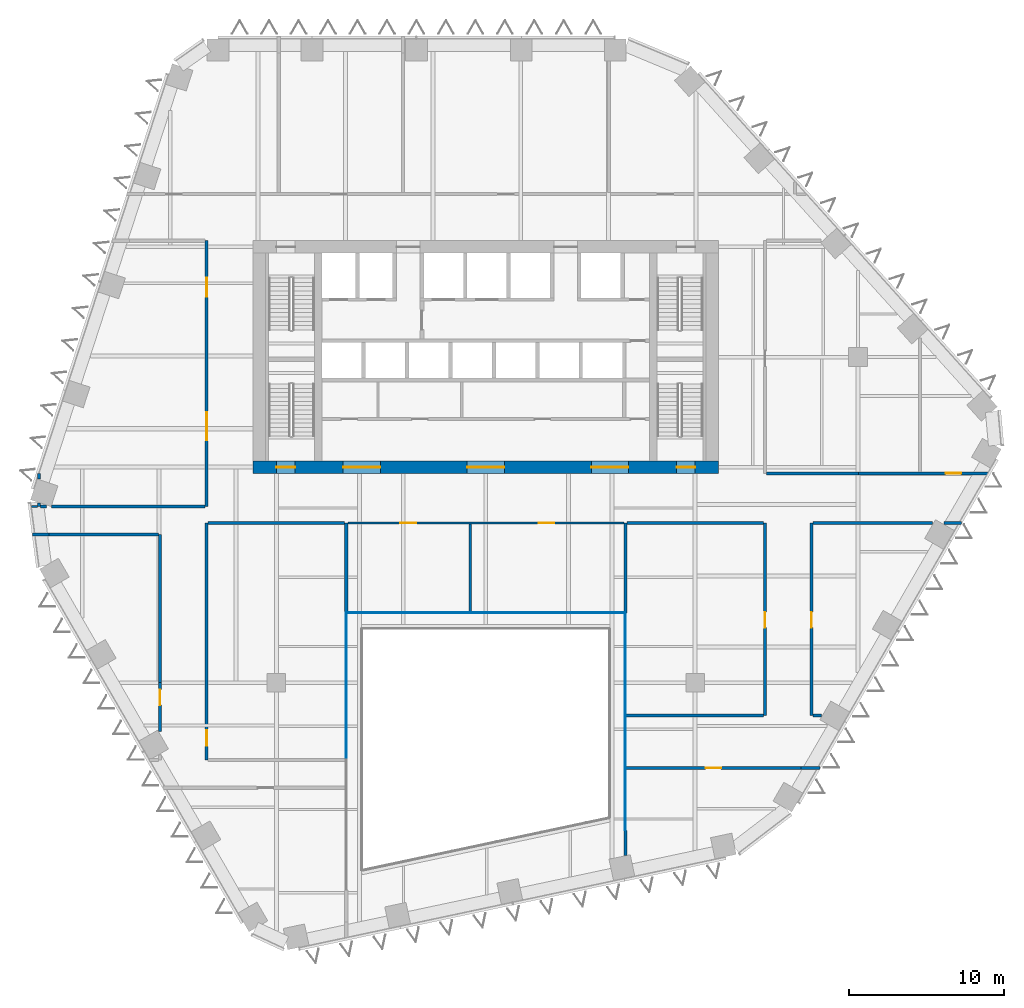
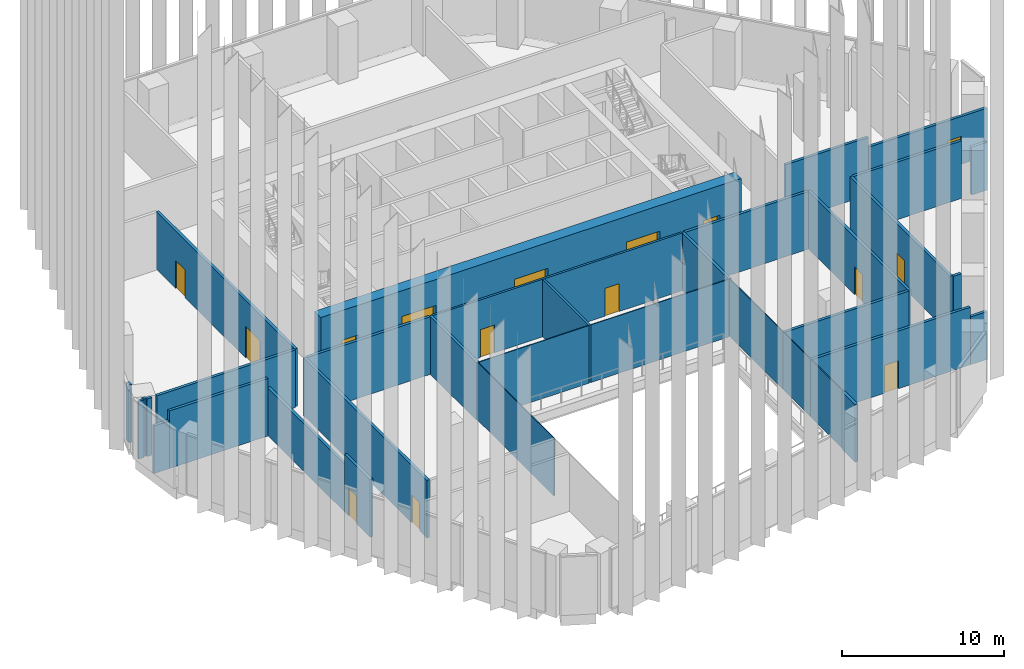
# One storey, part 11 of 18: 35 walls, 15 doors, 15 openings.
"""IFC4 building model written with IfcOpenShell, lengths in metres."""

from ifc_helpers import new_model, si_unit, direction, frame, frame_2d, origin, place, context, subcontext, project, spatial, rectangle, extrude, material, layer, layer_set, type_object, element, fill, save


model = new_model("IFC4")

# Units and contexts
model_context = context("Model", 3, precision=1e-05, world=origin(), true_north=direction((0.0, 1.0)))
body_context = subcontext(model_context, "Body", "Model", "MODEL_VIEW")
ifc_project = project(units=[si_unit("LENGTHUNIT", "METRE"), si_unit("AREAUNIT", "SQUARE_METRE"), si_unit("VOLUMEUNIT", "CUBIC_METRE"), si_unit("PLANEANGLEUNIT", "RADIAN"), si_unit("MASSUNIT", "GRAM", prefix="KILO")], contexts=[model_context])

# Site, building, storey
site_placement = place(None, origin())
site = spatial("IfcSite", under=ifc_project, at=site_placement, CompositionType="ELEMENT")
building_placement = place(site_placement, origin())
building = spatial("IfcBuilding", under=site, at=building_placement, Name="Isthmus Gate Tower", CompositionType="ELEMENT")
storey_placement = place(building_placement, frame((0.0, 0.0, 166.300048828125)))
storey = spatial("IfcBuildingStorey", under=building, at=storey_placement, Name="L41", CompositionType="ELEMENT", Elevation=166.300048828125)

# Wall, opening, door
ifc_material_1 = material(Name="Concrete f'c 30 MPa", Category="concrete")
ifc_layer_1 = layer(ifc_material_1, 0.199951171875)
ifc_layer_set_1 = layer_set([ifc_layer_1], Name="Fire-rated block wall 200")
wall_type_1 = type_object("IfcWallType", Name="Fire-rated block wall 200", PredefinedType="PARTITIONING", material=ifc_layer_set_1)
wall_1_placement = place(storey_placement, frame((9.030029296875, -19.0, 0.0), z_axis=(0.0, 0.0, 1.0), x_axis=(1.0, 0.0, 0.0)))
wall_1 = element("IfcWall", 1, at=wall_1_placement, inside=storey, type_object=wall_type_1, Name="Fire-rated wall", PredefinedType="PARTITIONING", context=body_context, shape_type="SweptSolid", body=[
    extrude(rectangle(XDim=11.292724609375, YDim=0.199951171875, at=frame_2d((5.646484375, 0.0))), origin(), (0.0, 0.0, 1.0), 4.349853515625),
])
opening_1_placement = place(wall_1_placement, frame((5.14990234375, 0.0, 0.0)))
opening_1 = element("IfcOpeningElement", 2, at=opening_1_placement, cuts=wall_1, Name="Opening DP41-16", PredefinedType="OPENING", context=body_context, shape_type="SweptSolid", body=[
    extrude(rectangle(XDim=1.0, YDim=2.10009765625, at=frame_2d((0.5, 1.050048828125))), frame((0.0, 0.10986328125, 0.0), z_axis=(0.0, -1.0, 0.0), x_axis=(1.0, 0.0, 0.0)), (0.0, 0.0, 1.0), 0.219970703125),
])
ifc_material_2 = material(Name="Steel fire door with intumescent seals", Category="steel")
door_type_1 = type_object("IfcDoorType", Name="Fire door 1000 x 2100", OperationType="SINGLE_SWING_LEFT", PredefinedType="DOOR", material=ifc_material_2)
door_1_placement = place(opening_1_placement, origin())
door_1 = element("IfcDoor", 3, at=door_1_placement, inside=storey, type_object=door_type_1, Name="Door DP41-16", OperationType="SINGLE_SWING_LEFT", OverallHeight=2.10009765625, OverallWidth=1.0, PredefinedType="DOOR", context=body_context, shape_type="SweptSolid", body=[
    extrude(rectangle(XDim=1.0, YDim=2.10009765625, at=frame_2d((0.5, 1.050048828125))), frame((0.0, 0.02490234375, 0.0), z_axis=(0.0, -1.0, 0.0), x_axis=(1.0, 0.0, 0.0)), (0.0, 0.0, 1.0), 0.050048828125),
])
fill(opening_1, door_1)

# Walls
wall_2_placement = place(storey_placement, frame((20.32275390625, -19.0, 0.0), z_axis=(0.0, 0.0, 1.0), x_axis=(1.0, 0.0, 0.0)))
element("IfcWall", 4, at=wall_2_placement, inside=storey, type_object=wall_type_1, Name="Fire-rated wall", PredefinedType="PARTITIONING", context=body_context, shape_type="SweptSolid", body=[
    extrude(rectangle(XDim=1.209228515625, YDim=0.199951171875, at=frame_2d((0.6044921875, 0.0))), origin(), (0.0, 0.0, 1.0), 3.599853515625),
])
wall_3_placement = place(storey_placement, frame((9.030029296875, -15.60009765625, 0.0), z_axis=(0.0, 0.0, 1.0), x_axis=(1.0, 0.0, 0.0)))
element("IfcWall", 5, at=wall_3_placement, inside=storey, type_object=wall_type_1, Name="Fire-rated wall", PredefinedType="PARTITIONING", context=body_context, shape_type="SweptSolid", body=[
    extrude(rectangle(XDim=8.869873046875, YDim=0.199951171875, at=frame_2d((4.43505859375, 0.0))), origin(), (0.0, 0.0, 1.0), 4.349853515625),
])
wall_4_placement = place(storey_placement, frame((21.10009765625, -15.60009765625, 0.0), z_axis=(0.0, 0.0, 1.0), x_axis=(1.0, 0.0, 0.0)))
element("IfcWall", 6, at=wall_4_placement, inside=storey, type_object=wall_type_1, Name="Fire-rated wall", PredefinedType="PARTITIONING", context=body_context, shape_type="SweptSolid", body=[
    extrude(rectangle(XDim=0.550537109375, YDim=0.199951171875, at=frame_2d((0.275390625, 0.0))), origin(), (0.0, 0.0, 1.0), 4.349853515625),
])
wall_5_placement = place(storey_placement, frame((-29.2294921875, -3.93408203125, 0.0), z_axis=(0.0, 0.0, 1.0), x_axis=(1.0, 0.0, 0.0)))
element("IfcWall", 7, at=wall_5_placement, inside=storey, type_object=wall_type_1, Name="Fire-rated wall", PredefinedType="PARTITIONING", context=body_context, shape_type="SweptSolid", body=[
    extrude(rectangle(XDim=1.077392578125, YDim=0.199951171875, at=frame_2d((0.53857421875, 0.0))), origin(), (0.0, 0.0, 1.0), 3.599853515625),
])
wall_6_placement = place(storey_placement, frame((-28.152099609375, -3.93408203125, 0.0), z_axis=(0.0, 0.0, 1.0), x_axis=(1.0, 0.0, 0.0)))
element("IfcWall", 8, at=wall_6_placement, inside=storey, type_object=wall_type_1, Name="Fire-rated wall", PredefinedType="PARTITIONING", context=body_context, shape_type="SweptSolid", body=[
    extrude(rectangle(XDim=7.052001953125, YDim=0.199951171875, at=frame_2d((3.52587890625, 0.0))), origin(), (0.0, 0.0, 1.0), 4.349853515625),
])
for number, where, z_axis, x_axis, name in (
    (9, (-17.89990234375, -3.199951171875, 0.0), (0.0, 0.0, 1.0), (1.0, 0.0, 0.0), "Fire-rated wall"),
    (10, (9.10009765625, -3.199951171875, 0.0), (0.0, 0.0, 1.0), (1.0, 0.0, 0.0), "Fire-rated wall"),
):
    element("IfcWall", number, at=place(storey_placement, frame(where, z_axis=z_axis, x_axis=x_axis)), inside=storey, type_object=wall_type_1, Name=name, PredefinedType="PARTITIONING", context=body_context, shape_type="SweptSolid", body=[
        extrude(rectangle(XDim=8.7998046875, YDim=0.199951171875, at=frame_2d((4.39990234375, 0.0))), origin(), (0.0, 0.0, 1.0), 4.349853515625),
    ])
wall_7_placement = place(storey_placement, frame((21.10009765625, -3.199951171875, 0.0), z_axis=(0.0, 0.0, 1.0), x_axis=(1.0, 0.0, 0.0)))
element("IfcWall", 11, at=wall_7_placement, inside=storey, type_object=wall_type_1, Name="Fire-rated wall", PredefinedType="PARTITIONING", context=body_context, shape_type="SweptSolid", body=[
    extrude(rectangle(XDim=7.709716796875, YDim=0.199951171875, at=frame_2d((3.85498046875, 0.0))), origin(), (0.0, 0.0, 1.0), 4.349853515625),
])
wall_8_placement = place(storey_placement, frame((29.539306640625, -3.199951171875, 0.0), z_axis=(0.0, 0.0, 1.0), x_axis=(1.0, 0.0, 0.0)))
element("IfcWall", 12, at=wall_8_placement, inside=storey, type_object=wall_type_1, Name="Fire-rated wall", PredefinedType="PARTITIONING", context=body_context, shape_type="SweptSolid", body=[
    extrude(rectangle(XDim=1.11474609375, YDim=0.199951171875, at=frame_2d((0.557373046875, 0.0))), origin(), (0.0, 0.0, 1.0), 3.599853515625),
])
wall_9_placement = place(storey_placement, frame((-28.697998046875, -2.134033203125, 0.0), z_axis=(0.0, 0.0, 1.0), x_axis=(1.0, 0.0, 0.0)))
element("IfcWall", 13, at=wall_9_placement, inside=storey, type_object=wall_type_1, Name="Fire-rated wall", PredefinedType="PARTITIONING", context=body_context, shape_type="SweptSolid", body=[
    extrude(rectangle(XDim=0.37158203125, YDim=0.199951171875, at=frame_2d((0.185791015625, 0.0))), origin(), (0.0, 0.0, 1.0), 4.349853515625),
])
wall_10_placement = place(storey_placement, frame((-27.986328125, -2.134033203125, 0.0), z_axis=(0.0, 0.0, 1.0), x_axis=(1.0, 0.0, 0.0)))
element("IfcWall", 14, at=wall_10_placement, inside=storey, type_object=wall_type_1, Name="Fire-rated wall", PredefinedType="PARTITIONING", context=body_context, shape_type="SweptSolid", body=[
    extrude(rectangle(XDim=9.88623046875, YDim=0.199951171875, at=frame_2d((4.943115234375, 0.0))), origin(), (0.0, 0.0, 1.0), 4.349853515625),
])
wall_11_placement = place(storey_placement, frame((18.10009765625, 0.0, 0.0), z_axis=(0.0, 0.0, 1.0), x_axis=(1.0, 0.0, 0.0)))
element("IfcWall", 15, at=wall_11_placement, inside=storey, type_object=wall_type_1, Name="Fire-rated wall", PredefinedType="PARTITIONING", context=body_context, shape_type="SweptSolid", body=[
    extrude(rectangle(XDim=5.93310546875, YDim=0.199951171875, at=frame_2d((2.966552734375, 0.0))), origin(), (0.0, 0.0, 1.0), 4.349853515625),
])

# Wall, opening, door
wall_12_placement = place(storey_placement, frame((24.033203125, 0.0, 0.0), z_axis=(0.0, 0.0, 1.0), x_axis=(1.0, 0.0, 0.0)))
wall_12 = element("IfcWall", 16, at=wall_12_placement, inside=storey, type_object=wall_type_1, Name="Fire-rated wall", PredefinedType="PARTITIONING", context=body_context, shape_type="SweptSolid", body=[
    extrude(rectangle(XDim=8.468505859375, YDim=0.199951171875, at=frame_2d((4.234375, 0.0))), origin(), (0.0, 0.0, 1.0), 3.599853515625),
])
opening_2_placement = place(wall_12_placement, frame((5.61669921875, 0.0, 0.0)))
opening_2 = element("IfcOpeningElement", 17, at=opening_2_placement, cuts=wall_12, Name="Opening DP41-08", PredefinedType="OPENING", context=body_context, shape_type="SweptSolid", body=[
    extrude(rectangle(XDim=1.0, YDim=2.10009765625, at=frame_2d((0.5, 1.050048828125))), frame((0.0, 0.10986328125, 0.0), z_axis=(0.0, -1.0, 0.0), x_axis=(1.0, 0.0, 0.0)), (0.0, 0.0, 1.0), 0.219970703125),
])
door_2_placement = place(opening_2_placement, origin())
door_2 = element("IfcDoor", 18, at=door_2_placement, inside=storey, type_object=door_type_1, Name="Door DP41-08", OperationType="SINGLE_SWING_LEFT", OverallHeight=2.10009765625, OverallWidth=1.0, PredefinedType="DOOR", context=body_context, shape_type="SweptSolid", body=[
    extrude(rectangle(XDim=1.0, YDim=2.10009765625, at=frame_2d((0.5, 1.050048828125))), frame((0.0, 0.02490234375, 0.0), z_axis=(0.0, -1.0, 0.0), x_axis=(1.0, 0.0, 0.0)), (0.0, 0.0, 1.0), 0.050048828125),
])
fill(opening_2, door_2)

# Walls
wall_13_placement = place(storey_placement, frame((-28.798095703125, -2.1328125, 0.0), z_axis=(0.0, 0.0, 1.0), x_axis=(0.0, 1.0, 0.0)))
element("IfcWall", 19, at=wall_13_placement, inside=storey, type_object=wall_type_1, Name="Fire-rated wall", PredefinedType="PARTITIONING", context=body_context, shape_type="SweptSolid", body=[
    extrude(rectangle(XDim=0.219482421875, YDim=0.199951171875, at=frame_2d((0.10986328125, 0.0))), origin(), (0.0, 0.0, 1.0), 4.349853515625),
])
wall_14_placement = place(storey_placement, frame((-28.798095703125, -0.376220703125, 0.0), z_axis=(0.0, 0.0, 1.0), x_axis=(0.0, 1.0, 0.0)))
element("IfcWall", 20, at=wall_14_placement, inside=storey, type_object=wall_type_1, Name="Fire-rated wall", PredefinedType="PARTITIONING", context=body_context, shape_type="SweptSolid", body=[
    extrude(rectangle(XDim=0.375, YDim=0.199951171875, at=frame_2d((0.1875, 0.0))), origin(), (0.0, 0.0, 1.0), 4.349853515625),
])

# Wall, opening, door
wall_15_placement = place(storey_placement, frame((-21.0, -16.65380859375, 0.0), z_axis=(0.0, 0.0, 1.0), x_axis=(0.0, 1.0, 0.0)))
wall_15 = element("IfcWall", 21, at=wall_15_placement, inside=storey, type_object=wall_type_1, Name="Fire-rated wall", PredefinedType="PARTITIONING", context=body_context, shape_type="SweptSolid", body=[
    extrude(rectangle(XDim=3.168212890625, YDim=0.199951171875, at=frame_2d((1.583984375, 0.0))), origin(), (0.0, 0.0, 1.0), 4.349853515625),
])
opening_3_placement = place(wall_15_placement, frame((1.70361328125, 0.0, 0.0)))
opening_3 = element("IfcOpeningElement", 22, at=opening_3_placement, cuts=wall_15, Name="Opening DP41-11", PredefinedType="OPENING", context=body_context, shape_type="SweptSolid", body=[
    extrude(rectangle(XDim=1.0, YDim=2.10009765625, at=frame_2d((0.5, 1.050048828125))), frame((0.0, 0.10986328125, 0.0), z_axis=(0.0, -1.0, 0.0), x_axis=(1.0, 0.0, 0.0)), (0.0, 0.0, 1.0), 0.219970703125),
])
door_3_placement = place(opening_3_placement, origin())
door_3 = element("IfcDoor", 23, at=door_3_placement, inside=storey, type_object=door_type_1, Name="Door DP41-11", OperationType="SINGLE_SWING_LEFT", OverallHeight=2.10009765625, OverallWidth=1.0, PredefinedType="DOOR", context=body_context, shape_type="SweptSolid", body=[
    extrude(rectangle(XDim=1.0, YDim=2.10009765625, at=frame_2d((0.5, 1.050048828125))), frame((0.0, 0.02490234375, 0.0), z_axis=(0.0, -1.0, 0.0), x_axis=(1.0, 0.0, 0.0)), (0.0, 0.0, 1.0), 0.050048828125),
])
fill(opening_3, door_3)

# Wall
wall_16_placement = place(storey_placement, frame((-21.0, -13.485595703125, 0.0), z_axis=(0.0, 0.0, 1.0), x_axis=(0.0, 1.0, 0.0)))
element("IfcWall", 24, at=wall_16_placement, inside=storey, type_object=wall_type_1, Name="Fire-rated wall", PredefinedType="PARTITIONING", context=body_context, shape_type="SweptSolid", body=[
    extrude(rectangle(XDim=9.5517578125, YDim=0.199951171875, at=frame_2d((4.77587890625, 0.0))), origin(), (0.0, 0.0, 1.0), 3.6005859375),
])

# Wall, opening, door
wall_17_placement = place(storey_placement, frame((-18.0, -18.47021484375, 0.0), z_axis=(0.0, 0.0, 1.0), x_axis=(0.0, 1.0, 0.0)))
wall_17 = element("IfcWall", 25, at=wall_17_placement, inside=storey, type_object=wall_type_1, Name="Fire-rated wall", PredefinedType="PARTITIONING", context=body_context, shape_type="SweptSolid", body=[
    extrude(rectangle(XDim=15.270263671875, YDim=0.199951171875, at=frame_2d((7.63525390625, 0.0))), origin(), (0.0, 0.0, 1.0), 4.349853515625),
])
opening_4_placement = place(wall_17_placement, frame((0.89990234375, 0.0, 0.0)))
opening_4 = element("IfcOpeningElement", 26, at=opening_4_placement, cuts=wall_17, Name="Opening DP41-12", PredefinedType="OPENING", context=body_context, shape_type="SweptSolid", body=[
    extrude(rectangle(XDim=1.0, YDim=2.10009765625, at=frame_2d((0.5, 1.050048828125))), frame((0.0, 0.10986328125, 0.0), z_axis=(0.0, -1.0, 0.0), x_axis=(1.0, 0.0, 0.0)), (0.0, 0.0, 1.0), 0.219970703125),
])
door_4_placement = place(opening_4_placement, origin())
door_4 = element("IfcDoor", 27, at=door_4_placement, inside=storey, type_object=door_type_1, Name="Door DP41-12", OperationType="SINGLE_SWING_LEFT", OverallHeight=2.10009765625, OverallWidth=1.0, PredefinedType="DOOR", context=body_context, shape_type="SweptSolid", body=[
    extrude(rectangle(XDim=1.0, YDim=2.10009765625, at=frame_2d((0.5, 1.050048828125))), frame((0.0, 0.02490234375, 0.0), z_axis=(0.0, -1.0, 0.0), x_axis=(1.0, 0.0, 0.0)), (0.0, 0.0, 1.0), 0.050048828125),
])
fill(opening_4, door_4)

# Wall, openings, doors
wall_18_placement = place(storey_placement, frame((-18.0, -2.1337890625, 0.0), z_axis=(0.0, 0.0, 1.0), x_axis=(0.0, 1.0, 0.0)))
wall_18 = element("IfcWall", 28, at=wall_18_placement, inside=storey, type_object=wall_type_1, Name="Fire-rated wall", PredefinedType="PARTITIONING", context=body_context, shape_type="SweptSolid", body=[
    extrude(rectangle(XDim=17.1337890625, YDim=0.199951171875, at=frame_2d((8.56689453125, 0.0))), origin(), (0.0, 0.0, 1.0), 4.349853515625),
])
opening_5_placement = place(wall_18_placement, frame((4.283935546875, 0.0, 0.0)))
opening_5 = element("IfcOpeningElement", 29, at=opening_5_placement, cuts=wall_18, Name="Opening DP41-01", PredefinedType="OPENING", context=body_context, shape_type="SweptSolid", body=[
    extrude(rectangle(XDim=1.800048828125, YDim=2.39990234375, at=frame_2d((0.89990234375, 1.199951171875))), frame((0.0, 0.10986328125, 0.0), z_axis=(0.0, -1.0, 0.0), x_axis=(1.0, 0.0, 0.0)), (0.0, 0.0, 1.0), 0.219970703125),
])
opening_6_placement = place(wall_18_placement, frame((13.533935546875, 0.0, 0.0)))
opening_6 = element("IfcOpeningElement", 30, at=opening_6_placement, cuts=wall_18, Name="Opening DP41-02", PredefinedType="OPENING", context=body_context, shape_type="SweptSolid", body=[
    extrude(rectangle(XDim=1.199951171875, YDim=2.10009765625, at=frame_2d((0.60009765625, 1.050048828125))), frame((0.0, 0.10986328125, 0.0), z_axis=(0.0, -1.0, 0.0), x_axis=(1.0, 0.0, 0.0)), (0.0, 0.0, 1.0), 0.219970703125),
])
ifc_material_3 = material(Name="Steel fire door with intumescent seals", Category="steel")
door_type_2 = type_object("IfcDoorType", Name="Fire door 1200 x 2100", OperationType="SINGLE_SWING_LEFT", PredefinedType="DOOR", material=ifc_material_3)
door_5_placement = place(opening_6_placement, origin())
door_5 = element("IfcDoor", 31, at=door_5_placement, inside=storey, type_object=door_type_2, Name="Door DP41-02", OperationType="SINGLE_SWING_LEFT", OverallHeight=2.10009765625, OverallWidth=1.199951171875, PredefinedType="DOOR", context=body_context, shape_type="SweptSolid", body=[
    extrude(rectangle(XDim=1.199951171875, YDim=2.10009765625, at=frame_2d((0.60009765625, 1.050048828125))), frame((0.0, 0.02490234375, 0.0), z_axis=(0.0, -1.0, 0.0), x_axis=(1.0, 0.0, 0.0)), (0.0, 0.0, 1.0), 0.050048828125),
])
fill(opening_6, door_5)
ifc_material_4 = material(Name="Steel fire door with intumescent seals", Category="steel")
door_type_3 = type_object("IfcDoorType", Name="Fire door 1800 x 2400", OperationType="SINGLE_SWING_LEFT", PredefinedType="DOOR", material=ifc_material_4)
door_6_placement = place(opening_5_placement, origin())
door_6 = element("IfcDoor", 32, at=door_6_placement, inside=storey, type_object=door_type_3, Name="Door DP41-01", OperationType="SINGLE_SWING_LEFT", OverallHeight=2.39990234375, OverallWidth=1.800048828125, PredefinedType="DOOR", context=body_context, shape_type="SweptSolid", body=[
    extrude(rectangle(XDim=1.800048828125, YDim=2.39990234375, at=frame_2d((0.89990234375, 1.199951171875))), frame((0.0, 0.02490234375, 0.0), z_axis=(0.0, -1.0, 0.0), x_axis=(1.0, 0.0, 0.0)), (0.0, 0.0, 1.0), 0.050048828125),
])
fill(opening_5, door_6)

# Walls
wall_19_placement = place(storey_placement, frame((-9.0, -9.0, 0.0), z_axis=(0.0, 0.0, 1.0), x_axis=(0.0, 1.0, 0.0)))
element("IfcWall", 33, at=wall_19_placement, inside=storey, type_object=wall_type_1, Name="Fire-rated wall", PredefinedType="PARTITIONING", context=body_context, shape_type="SweptSolid", body=[
    extrude(rectangle(XDim=5.800048828125, YDim=0.199951171875, at=frame_2d((2.89990234375, 0.0))), origin(), (0.0, 0.0, 1.0), 4.349853515625),
])
wall_20_placement = place(storey_placement, frame((9.0, -24.634521484375, 0.0), z_axis=(0.0, 0.0, 1.0), x_axis=(0.0, 1.0, 0.0)))
element("IfcWall", 34, at=wall_20_placement, inside=storey, type_object=wall_type_1, Name="Fire-rated wall", PredefinedType="PARTITIONING", context=body_context, shape_type="SweptSolid", body=[
    extrude(rectangle(XDim=1.614501953125, YDim=0.199951171875, at=frame_2d((0.80712890625, 0.0))), origin(), (0.0, 0.0, 1.0), 4.349853515625),
])
wall_21_placement = place(storey_placement, frame((9.0, -9.0, 0.0), z_axis=(0.0, 0.0, 1.0), x_axis=(0.0, 1.0, 0.0)))
element("IfcWall", 35, at=wall_21_placement, inside=storey, type_object=wall_type_1, Name="Fire-rated wall", PredefinedType="PARTITIONING", context=body_context, shape_type="SweptSolid", body=[
    extrude(rectangle(XDim=5.800048828125, YDim=0.199951171875, at=frame_2d((2.89990234375, 0.0))), origin(), (0.0, 0.0, 1.0), 4.349853515625),
])

# Wall, opening, door
wall_22_placement = place(storey_placement, frame((18.0, -15.60009765625, 0.0), z_axis=(0.0, 0.0, 1.0), x_axis=(0.0, 1.0, 0.0)))
wall_22 = element("IfcWall", 36, at=wall_22_placement, inside=storey, type_object=wall_type_1, Name="Fire-rated wall", PredefinedType="PARTITIONING", context=body_context, shape_type="SweptSolid", body=[
    extrude(rectangle(XDim=12.400146484375, YDim=0.199951171875, at=frame_2d((6.2001953125, 0.0))), origin(), (0.0, 0.0, 1.0), 4.349853515625),
])
opening_7_placement = place(wall_22_placement, frame((5.64990234375, 0.0, 0.0)))
opening_7 = element("IfcOpeningElement", 37, at=opening_7_placement, cuts=wall_22, Name="Opening DP41-14", PredefinedType="OPENING", context=body_context, shape_type="SweptSolid", body=[
    extrude(rectangle(XDim=1.0, YDim=2.10009765625, at=frame_2d((0.5, 1.050048828125))), frame((0.0, 0.10986328125, 0.0), z_axis=(0.0, -1.0, 0.0), x_axis=(1.0, 0.0, 0.0)), (0.0, 0.0, 1.0), 0.219970703125),
])
door_7_placement = place(opening_7_placement, origin())
door_7 = element("IfcDoor", 38, at=door_7_placement, inside=storey, type_object=door_type_1, Name="Door DP41-14", OperationType="SINGLE_SWING_LEFT", OverallHeight=2.10009765625, OverallWidth=1.0, PredefinedType="DOOR", context=body_context, shape_type="SweptSolid", body=[
    extrude(rectangle(XDim=1.0, YDim=2.10009765625, at=frame_2d((0.5, 1.050048828125))), frame((0.0, 0.02490234375, 0.0), z_axis=(0.0, -1.0, 0.0), x_axis=(1.0, 0.0, 0.0)), (0.0, 0.0, 1.0), 0.050048828125),
])
fill(opening_7, door_7)

wall_23_placement = place(storey_placement, frame((21.0, -15.60009765625, 0.0), z_axis=(0.0, 0.0, 1.0), x_axis=(0.0, 1.0, 0.0)))
wall_23 = element("IfcWall", 39, at=wall_23_placement, inside=storey, type_object=wall_type_1, Name="Fire-rated wall", PredefinedType="PARTITIONING", context=body_context, shape_type="SweptSolid", body=[
    extrude(rectangle(XDim=12.400146484375, YDim=0.199951171875, at=frame_2d((6.2001953125, 0.0))), origin(), (0.0, 0.0, 1.0), 4.349853515625),
])
opening_8_placement = place(wall_23_placement, frame((5.64990234375, 0.0, 0.0)))
opening_8 = element("IfcOpeningElement", 40, at=opening_8_placement, cuts=wall_23, Name="Opening DP41-15", PredefinedType="OPENING", context=body_context, shape_type="SweptSolid", body=[
    extrude(rectangle(XDim=1.0, YDim=2.10009765625, at=frame_2d((0.5, 1.050048828125))), frame((0.0, 0.10986328125, 0.0), z_axis=(0.0, -1.0, 0.0), x_axis=(1.0, 0.0, 0.0)), (0.0, 0.0, 1.0), 0.219970703125),
])
door_8_placement = place(opening_8_placement, origin())
door_8 = element("IfcDoor", 41, at=door_8_placement, inside=storey, type_object=door_type_1, Name="Door DP41-15", OperationType="SINGLE_SWING_LEFT", OverallHeight=2.10009765625, OverallWidth=1.0, PredefinedType="DOOR", context=body_context, shape_type="SweptSolid", body=[
    extrude(rectangle(XDim=1.0, YDim=2.10009765625, at=frame_2d((0.5, 1.050048828125))), frame((0.0, 0.02490234375, 0.0), z_axis=(0.0, -1.0, 0.0), x_axis=(1.0, 0.0, 0.0)), (0.0, 0.0, 1.0), 0.050048828125),
])
fill(opening_8, door_8)

# Walls
ifc_material_5 = material(Name="Fire-rated laminated glass in steel frame", Category="steel")
ifc_layer_2 = layer(ifc_material_5, 0.06005859375)
ifc_layer_set_2 = layer_set([ifc_layer_2], Name="Fire-rated glazed atrium screen 60")
wall_type_2 = type_object("IfcWallType", Name="Fire-rated glazed atrium screen 60", PredefinedType="PARTITIONING", material=ifc_layer_set_2)
wall_24_placement = place(storey_placement, frame((-8.89990234375, -9.0, 0.0), z_axis=(0.0, 0.0, 1.0), x_axis=(1.0, 0.0, 0.0)))
element("IfcWall", 42, at=wall_24_placement, inside=storey, type_object=wall_type_2, Name="Atrium screen", PredefinedType="PARTITIONING", context=body_context, shape_type="SweptSolid", body=[
    extrude(rectangle(XDim=7.824951171875, YDim=0.06005859375, at=frame_2d((3.91259765625, 0.0))), origin(), (0.0, 0.0, 1.0), 4.349853515625),
])
wall_25_placement = place(storey_placement, frame((-0.925048828125, -9.0, 0.0), z_axis=(0.0, 0.0, 1.0), x_axis=(1.0, 0.0, 0.0)))
element("IfcWall", 43, at=wall_25_placement, inside=storey, type_object=wall_type_2, Name="Atrium screen", PredefinedType="PARTITIONING", context=body_context, shape_type="SweptSolid", body=[
    extrude(rectangle(XDim=9.824951171875, YDim=0.06005859375, at=frame_2d((4.91259765625, 0.0))), origin(), (0.0, 0.0, 1.0), 4.349853515625),
])
wall_26_placement = place(storey_placement, frame((-9.0, -18.46923828125, 0.0), z_axis=(0.0, 0.0, 1.0), x_axis=(0.0, 1.0, 0.0)))
element("IfcWall", 44, at=wall_26_placement, inside=storey, type_object=wall_type_2, Name="Atrium screen", PredefinedType="PARTITIONING", context=body_context, shape_type="SweptSolid", body=[
    extrude(rectangle(XDim=9.46826171875, YDim=0.06005859375, at=frame_2d((4.734130859375, 0.0))), origin(), (0.0, 0.0, 1.0), 4.349853515625),
])
wall_27_placement = place(storey_placement, frame((9.0, -23.02001953125, 0.0), z_axis=(0.0, 0.0, 1.0), x_axis=(0.0, 1.0, 0.0)))
element("IfcWall", 45, at=wall_27_placement, inside=storey, type_object=wall_type_2, Name="Atrium screen", PredefinedType="PARTITIONING", context=body_context, shape_type="SweptSolid", body=[
    extrude(rectangle(XDim=4.01904296875, YDim=0.06005859375, at=frame_2d((2.009521484375, 0.0))), origin(), (0.0, 0.0, 1.0), 4.349853515625),
])
wall_28_placement = place(storey_placement, frame((9.0, -18.9990234375, 0.0), z_axis=(0.0, 0.0, 1.0), x_axis=(0.0, 1.0, 0.0)))
element("IfcWall", 46, at=wall_28_placement, inside=storey, type_object=wall_type_2, Name="Atrium screen", PredefinedType="PARTITIONING", context=body_context, shape_type="SweptSolid", body=[
    extrude(rectangle(XDim=3.39794921875, YDim=0.06005859375, at=frame_2d((1.698974609375, 0.0))), origin(), (0.0, 0.0, 1.0), 4.349853515625),
])
wall_29_placement = place(storey_placement, frame((9.0, -15.59912109375, 0.0), z_axis=(0.0, 0.0, 1.0), x_axis=(0.0, 1.0, 0.0)))
element("IfcWall", 47, at=wall_29_placement, inside=storey, type_object=wall_type_2, Name="Atrium screen", PredefinedType="PARTITIONING", context=body_context, shape_type="SweptSolid", body=[
    extrude(rectangle(XDim=6.59814453125, YDim=0.06005859375, at=frame_2d((3.299072265625, 0.0))), origin(), (0.0, 0.0, 1.0), 4.349853515625),
])

# Wall, openings, doors
ifc_material_6 = material(Name="Gypsum board on cold-formed steel studs", Category="steel")
ifc_layer_3 = layer(ifc_material_6, 0.14990234375)
ifc_layer_set_3 = layer_set([ifc_layer_3])
wall_type_3 = type_object("IfcWallType", Name="Partition 150 gypsum board on steel studs", PredefinedType="PARTITIONING", material=ifc_layer_set_3)
wall_30_placement = place(storey_placement, frame((-8.89990234375, -3.199951171875, 0.0), z_axis=(0.0, 0.0, 1.0), x_axis=(1.0, 0.0, 0.0)))
wall_30 = element("IfcWall", 48, at=wall_30_placement, inside=storey, type_object=wall_type_3, Name="Partition", PredefinedType="PARTITIONING", context=body_context, shape_type="SweptSolid", body=[
    extrude(rectangle(XDim=17.7998046875, YDim=0.14990234375, at=frame_2d((8.89990234375, 0.0))), origin(), (0.0, 0.0, 1.0), 4.349853515625),
])
opening_9_placement = place(wall_30_placement, frame((3.39990234375, 0.0, 0.0)))
opening_9 = element("IfcOpeningElement", 49, at=opening_9_placement, cuts=wall_30, Name="Opening DP41-09", PredefinedType="OPENING", context=body_context, shape_type="SweptSolid", body=[
    extrude(rectangle(XDim=1.0, YDim=2.10009765625, at=frame_2d((0.5, 1.050048828125))), frame((0.0, 0.0849609375, 0.0), z_axis=(0.0, -1.0, 0.0), x_axis=(1.0, 0.0, 0.0)), (0.0, 0.0, 1.0), 0.169921875),
])
opening_10_placement = place(wall_30_placement, frame((12.300048828125, 0.0, 0.0)))
opening_10 = element("IfcOpeningElement", 50, at=opening_10_placement, cuts=wall_30, Name="Opening DP41-10", PredefinedType="OPENING", context=body_context, shape_type="SweptSolid", body=[
    extrude(rectangle(XDim=1.0, YDim=2.10009765625, at=frame_2d((0.5, 1.050048828125))), frame((0.0, 0.0849609375, 0.0), z_axis=(0.0, -1.0, 0.0), x_axis=(1.0, 0.0, 0.0)), (0.0, 0.0, 1.0), 0.169921875),
])
ifc_material_7 = material(Name="Hollow metal frame with solid-core timber leaf", Category="wood")
door_type_4 = type_object("IfcDoorType", Name="Single swing door 1000 x 2100", OperationType="SINGLE_SWING_LEFT", PredefinedType="DOOR", material=ifc_material_7)
door_9_placement = place(opening_9_placement, origin())
door_9 = element("IfcDoor", 51, at=door_9_placement, inside=storey, type_object=door_type_4, Name="Door DP41-09", OperationType="SINGLE_SWING_LEFT", OverallHeight=2.10009765625, OverallWidth=1.0, PredefinedType="DOOR", context=body_context, shape_type="SweptSolid", body=[
    extrude(rectangle(XDim=1.0, YDim=2.10009765625, at=frame_2d((0.5, 1.050048828125))), frame((0.0, 0.02490234375, 0.0), z_axis=(0.0, -1.0, 0.0), x_axis=(1.0, 0.0, 0.0)), (0.0, 0.0, 1.0), 0.050048828125),
])
fill(opening_9, door_9)
door_10_placement = place(opening_10_placement, origin())
door_10 = element("IfcDoor", 52, at=door_10_placement, inside=storey, type_object=door_type_4, Name="Door DP41-10", OperationType="SINGLE_SWING_LEFT", OverallHeight=2.10009765625, OverallWidth=1.0, PredefinedType="DOOR", context=body_context, shape_type="SweptSolid", body=[
    extrude(rectangle(XDim=1.0, YDim=2.10009765625, at=frame_2d((0.5, 1.050048828125))), frame((0.0, 0.02490234375, 0.0), z_axis=(0.0, -1.0, 0.0), x_axis=(1.0, 0.0, 0.0)), (0.0, 0.0, 1.0), 0.050048828125),
])
fill(opening_10, door_10)

# Walls
wall_31_placement = place(storey_placement, frame((-29.2939453125, -2.134033203125, 0.0), z_axis=(0.0, 0.0, 1.0), x_axis=(1.0, 0.0, 0.0)))
element("IfcWall", 53, at=wall_31_placement, inside=storey, type_object=wall_type_3, Name="Partition", PredefinedType="PARTITIONING", context=body_context, shape_type="SweptSolid", body=[
    extrude(rectangle(XDim=0.39599609375, YDim=0.14990234375, at=frame_2d((0.197998046875, 0.0))), origin(), (0.0, 0.0, 1.0), 4.349853515625),
])
wall_32_placement = place(storey_placement, frame((-1.0, -9.0, 0.0), z_axis=(0.0, 0.0, 1.0), x_axis=(0.0, 1.0, 0.0)))
element("IfcWall", 54, at=wall_32_placement, inside=storey, type_object=wall_type_3, Name="Partition", PredefinedType="PARTITIONING", context=body_context, shape_type="SweptSolid", body=[
    extrude(rectangle(XDim=5.72509765625, YDim=0.14990234375, at=frame_2d((2.862548828125, 0.0))), origin(), (0.0, 0.0, 1.0), 4.349853515625),
])

# Wall, openings, doors
ifc_material_8 = material(Name="Concrete f'c 60 MPa", Category="concrete")
ifc_layer_4 = layer(ifc_material_8, 0.800048828125)
ifc_layer_set_4 = layer_set([ifc_layer_4], Name="RC CORE WALL 800 F'C 60")
wall_type_4 = type_object("IfcWallType", Name="RC CORE WALL 800 F'C 60", PredefinedType="SOLIDWALL", material=ifc_layer_set_4)
wall_33_placement = place(storey_placement, frame((-15.0, 0.39990234375, -0.300048828125), z_axis=(0.0, 0.0, 1.0), x_axis=(1.0, 0.0, 0.0)))
wall_33 = element("IfcWall", 55, at=wall_33_placement, inside=storey, type_object=wall_type_4, Name="str-corewall-L41-S", PredefinedType="SOLIDWALL", context=body_context, shape_type="SweptSolid", body=[
    extrude(rectangle(XDim=30.0, YDim=0.800048828125, at=frame_2d((15.0, 0.0))), origin(), (0.0, 0.0, 1.0), 4.64990234375),
])
opening_11_placement = place(wall_33_placement, frame((5.800048828125, 0.0, 0.300048828125)))
opening_11 = element("IfcOpeningElement", 56, at=opening_11_placement, cuts=wall_33, Name="Opening DC-A14-08", PredefinedType="OPENING", context=body_context, shape_type="SweptSolid", body=[
    extrude(rectangle(XDim=2.39990234375, YDim=2.39990234375, at=frame_2d((1.199951171875, 1.199951171875))), frame((0.0, 0.409912109375, 0.0), z_axis=(0.0, -1.0, 0.0), x_axis=(1.0, 0.0, 0.0)), (0.0, 0.0, 1.0), 0.820068359375),
])
opening_12_placement = place(wall_33_placement, frame((13.800048828125, 0.0, 0.300048828125)))
opening_12 = element("IfcOpeningElement", 57, at=opening_12_placement, cuts=wall_33, Name="Opening DC-A14-09", PredefinedType="OPENING", context=body_context, shape_type="SweptSolid", body=[
    extrude(rectangle(XDim=2.39990234375, YDim=2.39990234375, at=frame_2d((1.199951171875, 1.199951171875))), frame((0.0, 0.409912109375, 0.0), z_axis=(0.0, -1.0, 0.0), x_axis=(1.0, 0.0, 0.0)), (0.0, 0.0, 1.0), 0.820068359375),
])
opening_13_placement = place(wall_33_placement, frame((21.800048828125, 0.0, 0.300048828125)))
opening_13 = element("IfcOpeningElement", 58, at=opening_13_placement, cuts=wall_33, Name="Opening DC-A14-10", PredefinedType="OPENING", context=body_context, shape_type="SweptSolid", body=[
    extrude(rectangle(XDim=2.39990234375, YDim=2.39990234375, at=frame_2d((1.199951171875, 1.199951171875))), frame((0.0, 0.409912109375, 0.0), z_axis=(0.0, -1.0, 0.0), x_axis=(1.0, 0.0, 0.0)), (0.0, 0.0, 1.0), 0.820068359375),
])
opening_14_placement = place(wall_33_placement, frame((1.5, 0.0, 0.300048828125)))
opening_14 = element("IfcOpeningElement", 59, at=opening_14_placement, cuts=wall_33, Name="Opening DC-A14-15", PredefinedType="OPENING", context=body_context, shape_type="SweptSolid", body=[
    extrude(rectangle(XDim=1.199951171875, YDim=2.10009765625, at=frame_2d((0.60009765625, 1.050048828125))), frame((0.0, 0.409912109375, 0.0), z_axis=(0.0, -1.0, 0.0), x_axis=(1.0, 0.0, 0.0)), (0.0, 0.0, 1.0), 0.820068359375),
])
opening_15_placement = place(wall_33_placement, frame((27.300048828125, 0.0, 0.300048828125)))
opening_15 = element("IfcOpeningElement", 60, at=opening_15_placement, cuts=wall_33, Name="Opening DC-A14-16", PredefinedType="OPENING", context=body_context, shape_type="SweptSolid", body=[
    extrude(rectangle(XDim=1.199951171875, YDim=2.10009765625, at=frame_2d((0.60009765625, 1.050048828125))), frame((0.0, 0.409912109375, 0.0), z_axis=(0.0, -1.0, 0.0), x_axis=(1.0, 0.0, 0.0)), (0.0, 0.0, 1.0), 0.820068359375),
])
ifc_material_9 = material(Name="Laminated safety glass in steel frame, fire-rated", Category="steel")
door_type_5 = type_object("IfcDoorType", Name="LOBBY ENTRANCE FIRE DOOR 2400 X 2400 60 MIN", OperationType="DOUBLE_DOOR_DOUBLE_SWING", PredefinedType="DOOR", material=ifc_material_9)
door_11_placement = place(opening_11_placement, origin())
door_11 = element("IfcDoor", 61, at=door_11_placement, inside=storey, type_object=door_type_5, Name="Lobby Entrance PS-W", OperationType="DOUBLE_DOOR_DOUBLE_SWING", OverallHeight=2.39990234375, OverallWidth=2.39990234375, PredefinedType="DOOR", context=body_context, shape_type="SweptSolid", body=[
    extrude(rectangle(XDim=2.39990234375, YDim=2.39990234375, at=frame_2d((1.199951171875, 1.199951171875))), frame((0.0, 0.02490234375, 0.0), z_axis=(0.0, -1.0, 0.0), x_axis=(1.0, 0.0, 0.0)), (0.0, 0.0, 1.0), 0.050048828125),
])
fill(opening_11, door_11)
door_12_placement = place(opening_12_placement, origin())
door_12 = element("IfcDoor", 62, at=door_12_placement, inside=storey, type_object=door_type_5, Name="Lobby Entrance PS-C", OperationType="DOUBLE_DOOR_DOUBLE_SWING", OverallHeight=2.39990234375, OverallWidth=2.39990234375, PredefinedType="DOOR", context=body_context, shape_type="SweptSolid", body=[
    extrude(rectangle(XDim=2.39990234375, YDim=2.39990234375, at=frame_2d((1.199951171875, 1.199951171875))), frame((0.0, 0.02490234375, 0.0), z_axis=(0.0, -1.0, 0.0), x_axis=(1.0, 0.0, 0.0)), (0.0, 0.0, 1.0), 0.050048828125),
])
fill(opening_12, door_12)
door_13_placement = place(opening_13_placement, origin())
door_13 = element("IfcDoor", 63, at=door_13_placement, inside=storey, type_object=door_type_5, Name="Lobby Entrance PS-E", OperationType="DOUBLE_DOOR_DOUBLE_SWING", OverallHeight=2.39990234375, OverallWidth=2.39990234375, PredefinedType="DOOR", context=body_context, shape_type="SweptSolid", body=[
    extrude(rectangle(XDim=2.39990234375, YDim=2.39990234375, at=frame_2d((1.199951171875, 1.199951171875))), frame((0.0, 0.02490234375, 0.0), z_axis=(0.0, -1.0, 0.0), x_axis=(1.0, 0.0, 0.0)), (0.0, 0.0, 1.0), 0.050048828125),
])
fill(opening_13, door_13)
ifc_material_10 = material(Name="Steel door leaf, fire-rated", Category="steel")
door_type_6 = type_object("IfcDoorType", Name="STAIR FIRE DOOR 1200 X 2100 90 MIN", OperationType="SINGLE_SWING_LEFT", PredefinedType="DOOR", material=ifc_material_10)
door_14_placement = place(opening_14_placement, origin())
door_14 = element("IfcDoor", 64, at=door_14_placement, inside=storey, type_object=door_type_6, Name="Exit Stair 7 Door", OperationType="SINGLE_SWING_LEFT", OverallHeight=2.10009765625, OverallWidth=1.199951171875, PredefinedType="DOOR", context=body_context, shape_type="SweptSolid", body=[
    extrude(rectangle(XDim=1.199951171875, YDim=2.10009765625, at=frame_2d((0.60009765625, 1.050048828125))), frame((0.0, 0.02490234375, 0.0), z_axis=(0.0, -1.0, 0.0), x_axis=(1.0, 0.0, 0.0)), (0.0, 0.0, 1.0), 0.050048828125),
])
fill(opening_14, door_14)
door_15_placement = place(opening_15_placement, origin())
door_15 = element("IfcDoor", 65, at=door_15_placement, inside=storey, type_object=door_type_6, Name="Exit Stair 8 Door", OperationType="SINGLE_SWING_RIGHT", OverallHeight=2.10009765625, OverallWidth=1.199951171875, PredefinedType="DOOR", context=body_context, shape_type="SweptSolid", body=[
    extrude(rectangle(XDim=1.199951171875, YDim=2.10009765625, at=frame_2d((0.60009765625, 1.050048828125))), frame((0.0, 0.02490234375, 0.0), z_axis=(0.0, -1.0, 0.0), x_axis=(1.0, 0.0, 0.0)), (0.0, 0.0, 1.0), 0.050048828125),
])
fill(opening_15, door_15)

save(model, "model.ifc")
